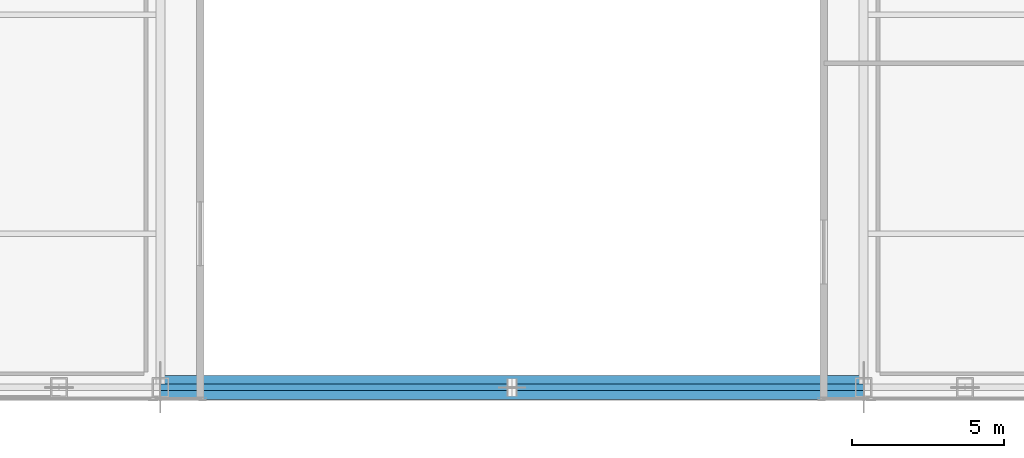
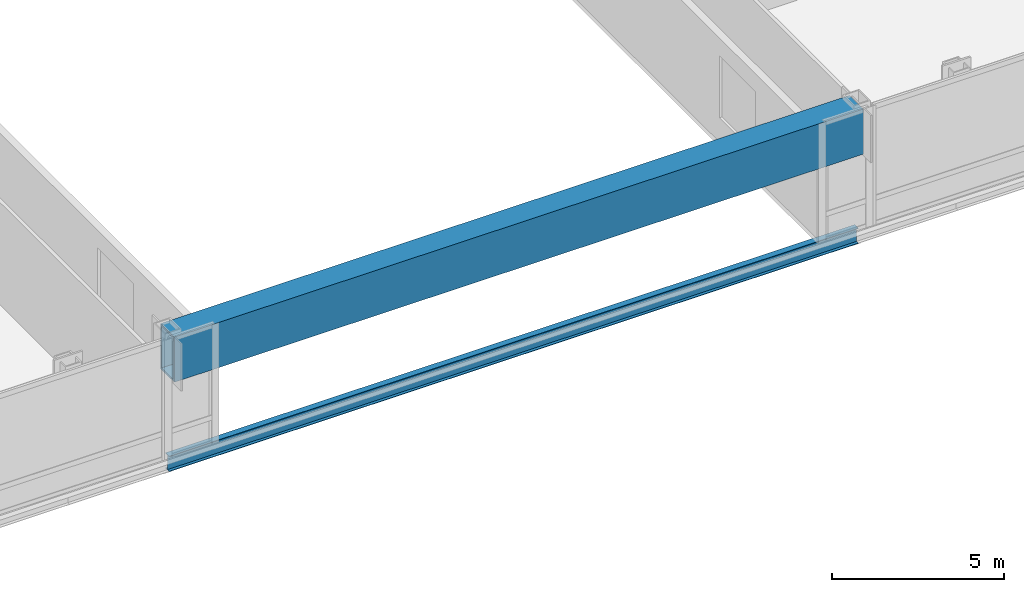
# One storey, part 8 of 27: 2 beams.
"""IFC4 building model written with IfcOpenShell, lengths in metres."""

from ifc_helpers import new_model, si_unit, direction, frame, origin, origin_2d, place, context, subcontext, project, spatial, hollow_rectangle, i_section, extrude, material, material_profile, profile_set, type_object, element, save


model = new_model("IFC4")

# Units and contexts
model_context = context("Model", 3, precision=1e-05, world=origin(), true_north=direction((0.0, 1.0)))
body_context = subcontext(model_context, "Body", "Model", "MODEL_VIEW")
ifc_project = project(units=[si_unit("LENGTHUNIT", "METRE"), si_unit("AREAUNIT", "SQUARE_METRE"), si_unit("VOLUMEUNIT", "CUBIC_METRE"), si_unit("PLANEANGLEUNIT", "RADIAN"), si_unit("MASSUNIT", "GRAM", prefix="KILO")], contexts=[model_context])

# Site, building, storey
site_placement = place(None, origin())
site = spatial("IfcSite", under=ifc_project, at=site_placement, CompositionType="ELEMENT")
building_placement = place(site_placement, origin())
building = spatial("IfcBuilding", under=site, at=building_placement, Name="Khoronbel Lancet Exchange", CompositionType="ELEMENT")
storey_placement = place(building_placement, frame((0.0, 0.0, 310.199951171875)))
storey = spatial("IfcBuildingStorey", under=building, at=storey_placement, Name="L80", CompositionType="ELEMENT", Elevation=310.199951171875)

# Beams
ifc_material_1 = material(Name="Steel S355", Category="steel")
ifc_material_profile_1 = material_profile(ifc_material_1, i_section(OverallWidth=0.2099609375, OverallDepth=0.550048828125, WebThickness=0.010986328125, FlangeThickness=0.01708984375, at=origin_2d()), Name="IPE 550")
ifc_profile_set_1 = profile_set([ifc_material_profile_1], Name="Steel S355")
beam_type_1 = type_object("IfcBeamType", Name="BM-BSP3", PredefinedType="SPANDREL", material=ifc_profile_set_1)
beam_1_placement = place(storey_placement, frame((24.89990234375, 10.14990234375, -0.43505859375), z_axis=(1.0, 0.0, 0.0), x_axis=(0.0, 1.0, 0.0)))
element("IfcBeam", 1, at=beam_1_placement, inside=storey, type_object=beam_type_1, Name="Level L80 perimeter spandrel beam SP04", PredefinedType="SPANDREL", context=body_context, shape_type="SweptSolid", body=[
    extrude(i_section(OverallWidth=0.2099609375, OverallDepth=0.550048828125, WebThickness=0.010986328125, FlangeThickness=0.01708984375, at=origin_2d()), origin(), (0.0, 0.0, 1.0), 23.10009765625),
])
ifc_material_2 = material(Name="Steel S460", Category="steel")
ifc_material_profile_2 = material_profile(ifc_material_2, hollow_rectangle(XDim=0.800048828125, YDim=1.60009765625, WallThickness=0.06494140625, at=origin_2d()), Name="BOX 800x1600x65")
ifc_profile_set_2 = profile_set([ifc_material_profile_2], Name="Steel S460")
beam_type_2 = type_object("IfcBeamType", Name="BM-TG2", PredefinedType="USERDEFINED", material=ifc_profile_set_2)
beam_2_placement = place(storey_placement, frame((24.89990234375, 10.14990234375, 3.43994140625), z_axis=(1.0, 0.0, 0.0), x_axis=(0.0, 1.0, 0.0)))
element("IfcBeam", 2, at=beam_2_placement, inside=storey, type_object=beam_type_2, Name="Wind portal header transfer girder S", ObjectType="TRANSFER GIRDER", PredefinedType="USERDEFINED", context=body_context, shape_type="SweptSolid", body=[
    extrude(hollow_rectangle(XDim=0.800048828125, YDim=1.60009765625, WallThickness=0.06494140625, at=origin_2d()), origin(), (0.0, 0.0, 1.0), 23.10009765625),
])

save(model, "model.ifc")
